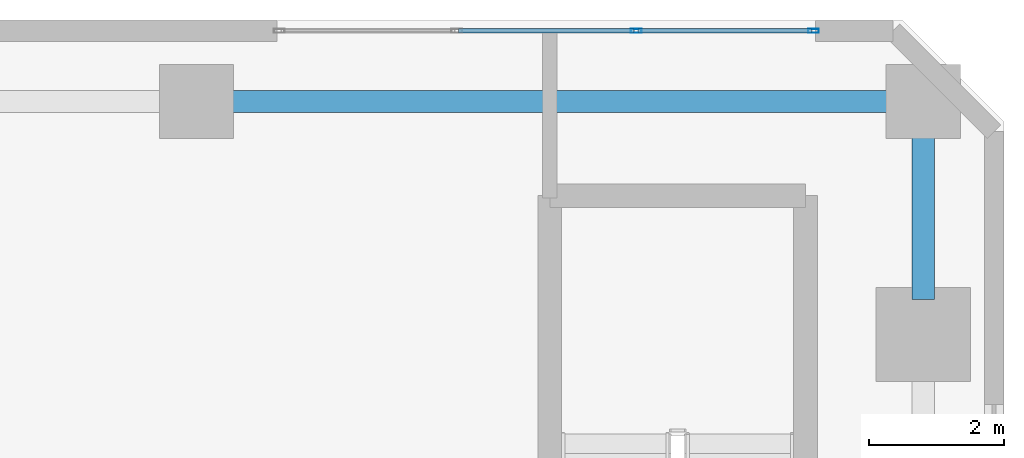
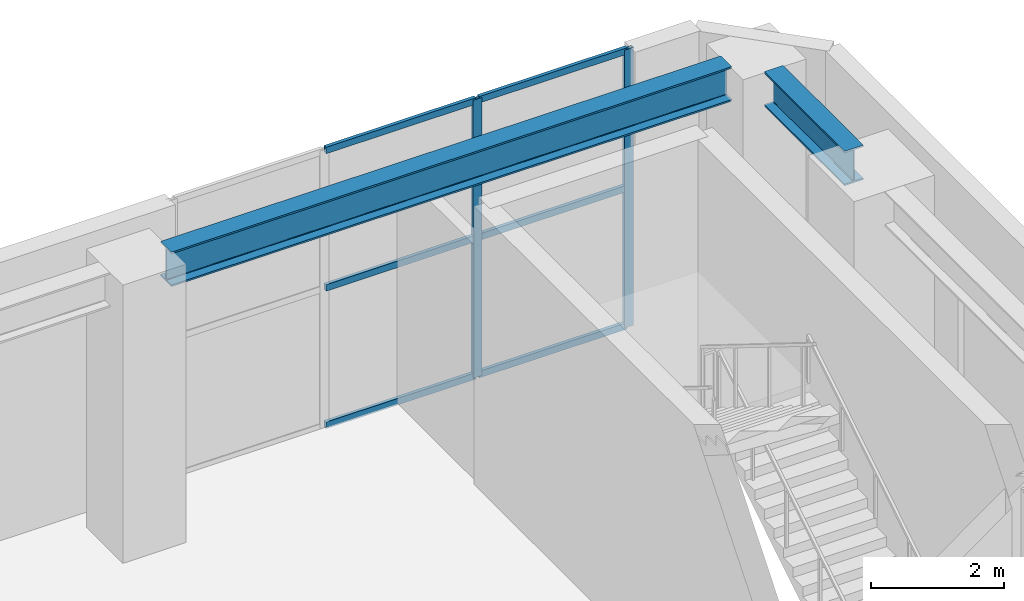
# One storey, part 18 of 28: 8 members, 2 beams, 1 element without a shape of its own.
"""IFC4 building model written with IfcOpenShell, lengths in metres."""

import ifcopenshell
import ifcopenshell.guid

model = None  # the IFC model being written
_history = None  # IfcOwnerHistory: only IFC2X3 demands one
_inside = {}  # id of a spatial element -> (the spatial element, [elements in it])
_under = {}  # id of a project, library or spatial element -> (it, [spatial elements below it])
_declared = {}  # id of a project -> (the project, [libraries it declares])
_typed = {}  # id of a type object -> (the type object, [elements of that type])
_made_of = {}  # id of a material, layer set ... -> (it, [elements and type objects made of it])


def new_model(schema):
    """Start an empty IFC model of exactly this schema.

    Asked for "IFC4X3", IfcOpenShell would pick the latest addendum, in which some entities
    have other attributes; the version numbers below select the first issue.
    IFC2X3 requires an IfcOwnerHistory on every rooted entity: one is made here for all.
    """
    global model, _history
    if schema == "IFC4X3":
        model = ifcopenshell.file(schema_version=(4, 3, 0, 0))
    else:
        model = ifcopenshell.file(schema=schema)
    _inside.clear()
    _under.clear()
    _declared.clear()
    _typed.clear()
    _made_of.clear()
    _history = None
    if model.schema == "IFC2X3":
        org = make("IfcOrganization", Name="unknown")
        user = make(
            "IfcPersonAndOrganization",
            ThePerson=make("IfcPerson", FamilyName="unknown"),
            TheOrganization=org,
        )
        app = make(
            "IfcApplication",
            ApplicationDeveloper=org,
            Version="unknown",
            ApplicationFullName="unknown",
            ApplicationIdentifier="unknown",
        )
        _history = make(
            "IfcOwnerHistory",
            OwningUser=user,
            OwningApplication=app,
            ChangeAction="ADDED",
            CreationDate=0,
        )
    return model


def make(cls, **values):
    """One entity of the class cls with the attributes given. An attribute that is None is left unset."""
    return model.create_entity(
        cls, **{name: value for name, value in values.items() if value is not None}
    )


def rooted(cls, **values):
    """An entity with a GlobalId (a new one), such as an element, a storey or a relation."""
    return make(cls, GlobalId=ifcopenshell.guid.new(), OwnerHistory=_history, **values)


def si_unit(unit_type, name, prefix=None):
    """IfcSIUnit, for example si_unit("LENGTHUNIT", "METRE", prefix="MILLI")."""
    return make("IfcSIUnit", UnitType=unit_type, Prefix=prefix, Name=name)


def assignment(units):
    """IfcUnitAssignment: the units of a project."""
    return None if units is None else make("IfcUnitAssignment", Units=units)


def point(xyz):
    """IfcCartesianPoint."""
    return None if xyz is None else make("IfcCartesianPoint", Coordinates=xyz)


def direction(xyz):
    """IfcDirection."""
    return None if xyz is None else make("IfcDirection", DirectionRatios=xyz)


def frame(location, z_axis=None, x_axis=None):
    """IfcAxis2Placement3D, a coordinate frame: its origin and axes. An axis left out is left unset."""
    return make(
        "IfcAxis2Placement3D",
        Location=point(location),
        Axis=direction(z_axis),
        RefDirection=direction(x_axis),
    )


def frame_2d(location, x_axis=None):
    """IfcAxis2Placement2D, a coordinate frame in the plane: its origin and x axis."""
    return make(
        "IfcAxis2Placement2D", Location=point(location), RefDirection=direction(x_axis)
    )


def origin():
    """The frame at (0, 0, 0) with its axes left unset."""
    return frame((0.0, 0.0, 0.0))


def origin_2d():
    """The frame at (0, 0) in the plane with its x axis left unset."""
    return frame_2d((0.0, 0.0))


def place(relative_to, where):
    """IfcLocalPlacement: puts the frame where relative to a parent placement (None: the world)."""
    return make(
        "IfcLocalPlacement", PlacementRelTo=relative_to, RelativePlacement=where
    )


def context(
    kind, dimensions, precision=None, world=None, true_north=None, identifier=None
):
    """IfcGeometricRepresentationContext, for example the 3D "Model" context."""
    return make(
        "IfcGeometricRepresentationContext",
        ContextIdentifier=identifier,
        ContextType=kind,
        CoordinateSpaceDimension=dimensions,
        Precision=precision,
        WorldCoordinateSystem=world,
        TrueNorth=true_north,
    )


def subcontext(parent, identifier, kind, view, scale=None):
    """IfcGeometricRepresentationSubContext, for example "Body" below "Model"."""
    return make(
        "IfcGeometricRepresentationSubContext",
        ContextIdentifier=identifier,
        ContextType=kind,
        ParentContext=parent,
        TargetScale=scale,
        TargetView=view,
    )


def project(units=None, contexts=None):
    """IfcProject with its units and contexts."""
    return rooted(
        "IfcProject",
        Name="project",
        RepresentationContexts=contexts,
        UnitsInContext=assignment(units),
    )


def spatial(cls, under=None, at=None, **own):
    """A site, building, storey or space (cls), placed at a placement, below another one or the project."""
    s = rooted(cls, ObjectPlacement=at, **own)
    if under is not None:
        _under.setdefault(under.id(), (under, []))[1].append(s)
    return s


def profile(cls, at=None, kind="AREA", **sizes):
    """A parametric profile (cls). Its sizes go by their IFC names, for example OverallWidth=200.0."""
    return make(cls, ProfileType=kind, Position=at, **sizes)


def hollow_rectangle(**sizes):
    """IfcRectangleHollowProfileDef."""
    return profile("IfcRectangleHollowProfileDef", **sizes)


def i_section(**sizes):
    """IfcIShapeProfileDef."""
    return profile("IfcIShapeProfileDef", **sizes)


def extrude(swept, where, along, depth):
    """IfcExtrudedAreaSolid: the profile swept, set in the frame where, extruded along a direction by depth."""
    return make(
        "IfcExtrudedAreaSolid",
        SweptArea=swept,
        Position=where,
        ExtrudedDirection=direction(along),
        Depth=depth,
    )


def shape(context_of_items, identifier, shape_type, items):
    """IfcShapeRepresentation: the items that make up one representation, for example the "Body"."""
    return make(
        "IfcShapeRepresentation",
        ContextOfItems=context_of_items,
        RepresentationIdentifier=identifier,
        RepresentationType=shape_type,
        Items=items,
    )


def material(Name=None, Category=None):
    """IfcMaterial."""
    return make("IfcMaterial", Name=Name, Category=Category)


def layer(
    of_material, thickness, ventilated=None, Name=None, Category=None, Priority=None
):
    """IfcMaterialLayer: one layer of a wall or slab, of a material (None: an air gap)."""
    return make(
        "IfcMaterialLayer",
        Material=of_material,
        LayerThickness=thickness,
        IsVentilated=ventilated,
        Name=Name,
        Category=Category,
        Priority=Priority,
    )


def layer_set(layers, Name=None):
    """IfcMaterialLayerSet."""
    return make("IfcMaterialLayerSet", MaterialLayers=layers, LayerSetName=Name)


def material_profile(
    of_material, cross_section, Name=None, Category=None, Priority=None
):
    """IfcMaterialProfile: a cross section and its material."""
    return make(
        "IfcMaterialProfile",
        Name=Name,
        Material=of_material,
        Profile=cross_section,
        Priority=Priority,
        Category=Category,
    )


def profile_set(profiles, Name=None, composite=None):
    """IfcMaterialProfileSet."""
    return make(
        "IfcMaterialProfileSet",
        Name=Name,
        MaterialProfiles=profiles,
        CompositeProfile=composite,
    )


def made_of(thing, what):
    """Note that an element or type object is made of a material, layer set ...; save() writes the relation."""
    if what is not None:
        _made_of.setdefault(what.id(), (what, []))[1].append(thing)
    return thing


def type_object(cls, material=None, **own):
    """A type object (cls), such as IfcWallType, which elements share."""
    return made_of(rooted(cls, **own), material)


def element(
    cls,
    number,
    at=None,
    inside=None,
    cuts=None,
    type_object=None,
    material=None,
    context=None,
    identifier="Body",
    shape_type=None,
    held_by="IfcProductDefinitionShape",
    body=None,
    shapes=None,
    **own,
):
    """One element of the class cls, such as IfcWall. Its Tag is "e" and its number.

    at: its placement. inside: the storey or other place that contains it. cuts: it is an
    opening in that element (IfcRelVoidsElement). A single representation is given by context,
    identifier, shape_type and body (its items); several are given by shapes. held_by: the class
    of the entity that holds the representations. save() writes the other relations.
    """
    e = rooted(cls, Tag="e%d" % number, ObjectPlacement=at, **own)
    if body is not None:
        shapes = [shape(context, identifier, shape_type, body)]
    if shapes is not None:
        e.Representation = make(held_by, Representations=shapes)
    if inside is not None:
        _inside.setdefault(inside.id(), (inside, []))[1].append(e)
    if cuts is not None:
        rooted(
            "IfcRelVoidsElement", RelatingBuildingElement=cuts, RelatedOpeningElement=e
        )
    if type_object is not None:
        _typed.setdefault(type_object.id(), (type_object, []))[1].append(e)
    return made_of(e, material)


def aggregate(whole, parts):
    """IfcRelAggregates: a whole, such as a stair, and the parts it consists of."""
    return rooted("IfcRelAggregates", RelatingObject=whole, RelatedObjects=parts)


def save(model, path):
    """Write the relations noted so far, then the file.

    IfcRelAggregates (storeys below a building ...), IfcRelContainedInSpatialStructure (elements
    in a storey), IfcRelDefinesByType, IfcRelAssociatesMaterial and IfcRelDeclares: one each for
    every whole, place, type object, material and project.
    """
    for whole, parts in _under.values():
        aggregate(whole, parts)
    for where, things in _inside.values():
        rooted(
            "IfcRelContainedInSpatialStructure",
            RelatedElements=things,
            RelatingStructure=where,
        )
    for kind, things in _typed.values():
        rooted("IfcRelDefinesByType", RelatedObjects=things, RelatingType=kind)
    for what, things in _made_of.values():
        rooted("IfcRelAssociatesMaterial", RelatedObjects=things, RelatingMaterial=what)
    for by, libraries in _declared.values():
        rooted("IfcRelDeclares", RelatingContext=by, RelatedDefinitions=libraries)
    model.write(path)


model = new_model("IFC4")

# Units and contexts
model_context = context("Model", 3, precision=1e-05, world=origin(), true_north=direction((0.0, 1.0)))
body_context = subcontext(model_context, "Body", "Model", "MODEL_VIEW")
ifc_project = project(units=[si_unit("LENGTHUNIT", "METRE"), si_unit("AREAUNIT", "SQUARE_METRE"), si_unit("VOLUMEUNIT", "CUBIC_METRE"), si_unit("PLANEANGLEUNIT", "RADIAN"), si_unit("MASSUNIT", "GRAM", prefix="KILO")], contexts=[model_context])

# Site, building, storey
site_placement = place(None, origin())
site = spatial("IfcSite", under=ifc_project, at=site_placement, CompositionType="ELEMENT")
building_placement = place(site_placement, origin())
building = spatial("IfcBuilding", under=site, at=building_placement, Name="Sarneth Arch Tower", CompositionType="ELEMENT")
storey_placement = place(building_placement, frame((0.0, 0.0, 6.0)))
storey = spatial("IfcBuildingStorey", under=building, at=storey_placement, Name="L01", CompositionType="ELEMENT", Elevation=6.0)

# Beams
ifc_material_1 = material(Name="Steel S355", Category="steel")
ifc_material_profile_1 = material_profile(ifc_material_1, i_section(OverallWidth=0.3291015625, OverallDepth=0.635009765625, WebThickness=0.017822265625, FlangeThickness=0.031005859375, FilletRadius=0.01904296875, at=origin_2d()), Name="W610x241")
ifc_profile_set_1 = profile_set([ifc_material_profile_1], Name="Steel S355")
beam_type = type_object("IfcBeamType", Name="BM-POD-610", PredefinedType="BEAM", material=ifc_profile_set_1)
beam_1_placement = place(storey_placement, frame((76.52001953125, 74.800048828125, 4.802490234375), z_axis=(1.0, 0.0, 0.0), x_axis=(0.0, 1.0, 0.0)))
element("IfcBeam", 1, at=beam_1_placement, inside=storey, type_object=beam_type, Name="L01 Podium PN girder 8", PredefinedType="BEAM", context=body_context, shape_type="SweptSolid", body=[
    extrude(i_section(OverallWidth=0.3291015625, OverallDepth=0.635009765625, WebThickness=0.017822265625, FlangeThickness=0.031005859375, FilletRadius=0.01904296875, at=origin_2d()), origin(), (0.0, 0.0, 1.0), 9.760009765625),
])
beam_2_placement = place(storey_placement, frame((86.800048828125, 71.856689453125, 4.802490234375), z_axis=(0.0, 1.0, 0.0), x_axis=(-1.0, 0.0, 0.0)))
element("IfcBeam", 2, at=beam_2_placement, inside=storey, type_object=beam_type, Name="L01 Podium PE girder 10", PredefinedType="BEAM", context=body_context, shape_type="SweptSolid", body=[
    extrude(i_section(OverallWidth=0.3291015625, OverallDepth=0.635009765625, WebThickness=0.017822265625, FlangeThickness=0.031005859375, FilletRadius=0.01904296875, at=origin_2d()), origin(), (0.0, 0.0, 1.0), 2.42333984375),
])

# Curtain wall, members
ifc_material_2 = material(Name="Anodised aluminium Type AA25 and solar-control low-e laminated IGU", Category="aluminium")
ifc_layer = layer(ifc_material_2, 0.179931640625)
ifc_layer_set = layer_set([ifc_layer], Name="Anodised aluminium Type AA25 and solar-control low-e laminated IGU")
curtain_wall_type = type_object("IfcCurtainWallType", Name="CW-PODIUM-CHAMF", PredefinedType="NOTDEFINED", material=ifc_layer_set)
curtain_wall_placement = place(storey_placement, origin())
curtain_wall = element("IfcCurtainWall", 3, at=curtain_wall_placement, inside=storey, type_object=curtain_wall_type, Name="L01 Podium bay curtain wall NE", PredefinedType="NOTDEFINED")
ifc_material_3 = material(Name="Anodised Aluminium 6063-T6", Category="aluminium")
ifc_material_profile_2 = material_profile(ifc_material_3, hollow_rectangle(XDim=0.06005859375, YDim=0.159912109375, WallThickness=0.00390625, at=origin_2d()), Name="AL-MULL-160x60x4")
ifc_profile_set_2 = profile_set([ifc_material_profile_2], Name="Anodised Aluminium 6063-T6")
member_type_1 = type_object("IfcMemberType", Name="CW-MULLION", PredefinedType="MULLION", material=ifc_profile_set_2)
member_1_placement = place(storey_placement, frame((85.169921875, 75.85009765625, 0.0), z_axis=(0.0, 0.0, 1.0), x_axis=(0.0, -1.0, 0.0)))
member_1 = element("IfcMember", 4, at=member_1_placement, type_object=member_type_1, Name="CW-SYS-1 mullion 1", PredefinedType="MULLION", context=body_context, shape_type="SweptSolid", body=[
    extrude(hollow_rectangle(XDim=0.06005859375, YDim=0.159912109375, WallThickness=0.00390625, at=origin_2d()), origin(), (0.0, 0.0, 1.0), 5.1201171875),
])
member_2_placement = place(storey_placement, frame((82.533447265625, 75.85009765625, 0.0), z_axis=(0.0, 0.0, 1.0), x_axis=(0.0, -1.0, 0.0)))
member_2 = element("IfcMember", 5, at=member_2_placement, type_object=member_type_1, Name="CW-SYS-1 mullion 2", PredefinedType="MULLION", context=body_context, shape_type="SweptSolid", body=[
    extrude(hollow_rectangle(XDim=0.06005859375, YDim=0.159912109375, WallThickness=0.00390625, at=origin_2d()), origin(), (0.0, 0.0, 1.0), 5.1201171875),
])
ifc_material_4 = material(Name="Anodised Aluminium 6063-T6", Category="aluminium")
ifc_material_profile_3 = material_profile(ifc_material_4, hollow_rectangle(XDim=0.06005859375, YDim=0.1201171875, WallThickness=0.00390625, at=origin_2d()), Name="AL-TRAN-120x60x4")
ifc_profile_set_3 = profile_set([ifc_material_profile_3], Name="Anodised Aluminium 6063-T6")
member_type_2 = type_object("IfcMemberType", Name="CW-TRANSOM", PredefinedType="USERDEFINED", material=ifc_profile_set_3)
member_3_placement = place(storey_placement, frame((85.139892578125, 75.85009765625, 0.030029296875), z_axis=(-1.0, 0.0, 0.0), x_axis=(0.0, -1.0, 0.0)))
member_3 = element("IfcMember", 6, at=member_3_placement, type_object=member_type_2, Name="CW-SYS-1 transom 1.1", ObjectType="TRANSOM", PredefinedType="USERDEFINED", context=body_context, shape_type="SweptSolid", body=[
    extrude(hollow_rectangle(XDim=0.06005859375, YDim=0.1201171875, WallThickness=0.00390625, at=origin_2d()), origin(), (0.0, 0.0, 1.0), 2.57666015625),
])
member_4_placement = place(storey_placement, frame((85.139892578125, 75.85009765625, 2.56005859375), z_axis=(-1.0, 0.0, 0.0), x_axis=(0.0, -1.0, 0.0)))
member_4 = element("IfcMember", 7, at=member_4_placement, type_object=member_type_2, Name="CW-SYS-1 transom 1.2", ObjectType="TRANSOM", PredefinedType="USERDEFINED", context=body_context, shape_type="SweptSolid", body=[
    extrude(hollow_rectangle(XDim=0.06005859375, YDim=0.1201171875, WallThickness=0.00390625, at=origin_2d()), origin(), (0.0, 0.0, 1.0), 2.57666015625),
])
member_5_placement = place(storey_placement, frame((85.139892578125, 75.85009765625, 5.090087890625), z_axis=(-1.0, 0.0, 0.0), x_axis=(0.0, -1.0, 0.0)))
member_5 = element("IfcMember", 8, at=member_5_placement, type_object=member_type_2, Name="CW-SYS-1 transom 1.3", ObjectType="TRANSOM", PredefinedType="USERDEFINED", context=body_context, shape_type="SweptSolid", body=[
    extrude(hollow_rectangle(XDim=0.06005859375, YDim=0.1201171875, WallThickness=0.00390625, at=origin_2d()), origin(), (0.0, 0.0, 1.0), 2.57666015625),
])
member_6_placement = place(storey_placement, frame((82.50341796875, 75.85009765625, 0.030029296875), z_axis=(-1.0, 0.0, 0.0), x_axis=(0.0, -1.0, 0.0)))
member_6 = element("IfcMember", 9, at=member_6_placement, type_object=member_type_2, Name="CW-SYS-1 transom 2.1", ObjectType="TRANSOM", PredefinedType="USERDEFINED", context=body_context, shape_type="SweptSolid", body=[
    extrude(hollow_rectangle(XDim=0.06005859375, YDim=0.1201171875, WallThickness=0.00390625, at=origin_2d()), origin(), (0.0, 0.0, 1.0), 2.606689453125),
])
member_7_placement = place(storey_placement, frame((82.50341796875, 75.85009765625, 2.56005859375), z_axis=(-1.0, 0.0, 0.0), x_axis=(0.0, -1.0, 0.0)))
member_7 = element("IfcMember", 10, at=member_7_placement, type_object=member_type_2, Name="CW-SYS-1 transom 2.2", ObjectType="TRANSOM", PredefinedType="USERDEFINED", context=body_context, shape_type="SweptSolid", body=[
    extrude(hollow_rectangle(XDim=0.06005859375, YDim=0.1201171875, WallThickness=0.00390625, at=origin_2d()), origin(), (0.0, 0.0, 1.0), 2.606689453125),
])
member_8_placement = place(storey_placement, frame((82.50341796875, 75.85009765625, 5.090087890625), z_axis=(-1.0, 0.0, 0.0), x_axis=(0.0, -1.0, 0.0)))
member_8 = element("IfcMember", 11, at=member_8_placement, type_object=member_type_2, Name="CW-SYS-1 transom 2.3", ObjectType="TRANSOM", PredefinedType="USERDEFINED", context=body_context, shape_type="SweptSolid", body=[
    extrude(hollow_rectangle(XDim=0.06005859375, YDim=0.1201171875, WallThickness=0.00390625, at=origin_2d()), origin(), (0.0, 0.0, 1.0), 2.606689453125),
])
aggregate(curtain_wall, [member_1, member_2, member_3, member_4, member_5, member_6, member_7, member_8])

save(model, "model.ifc")
